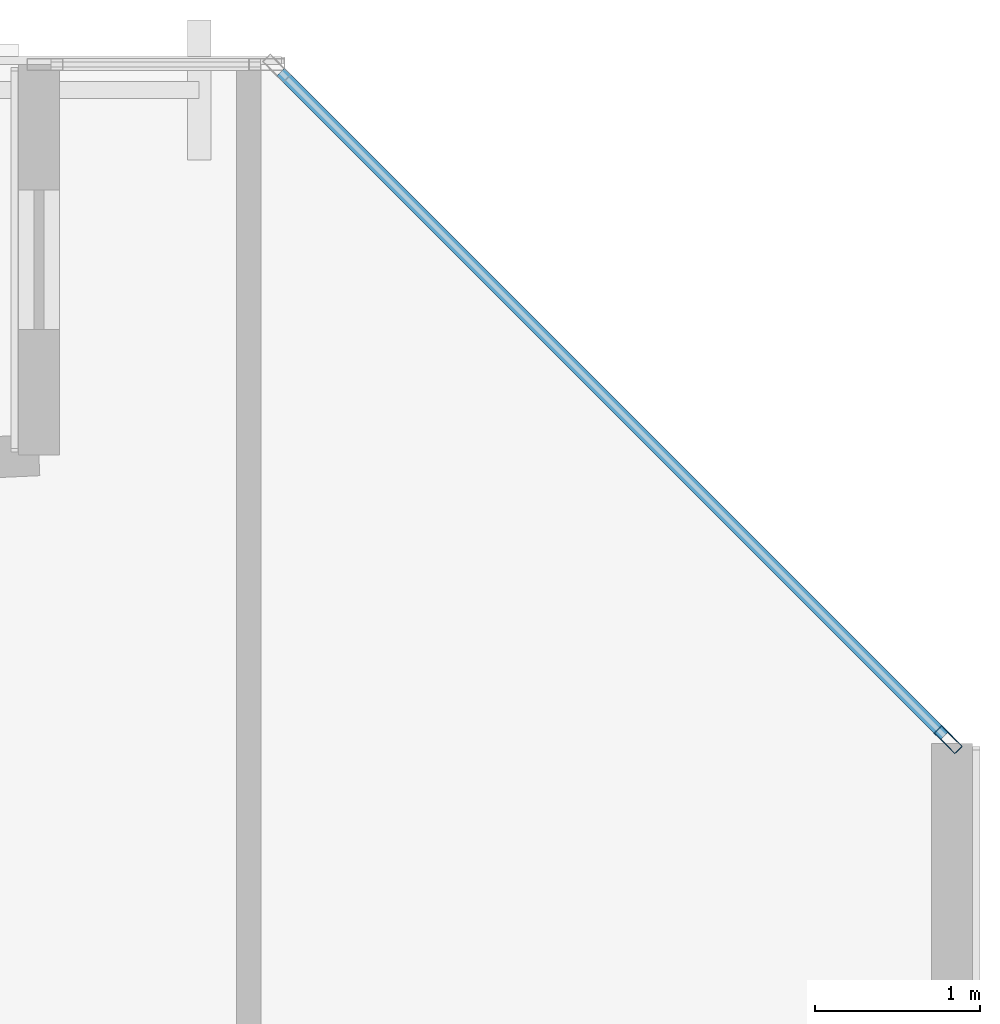
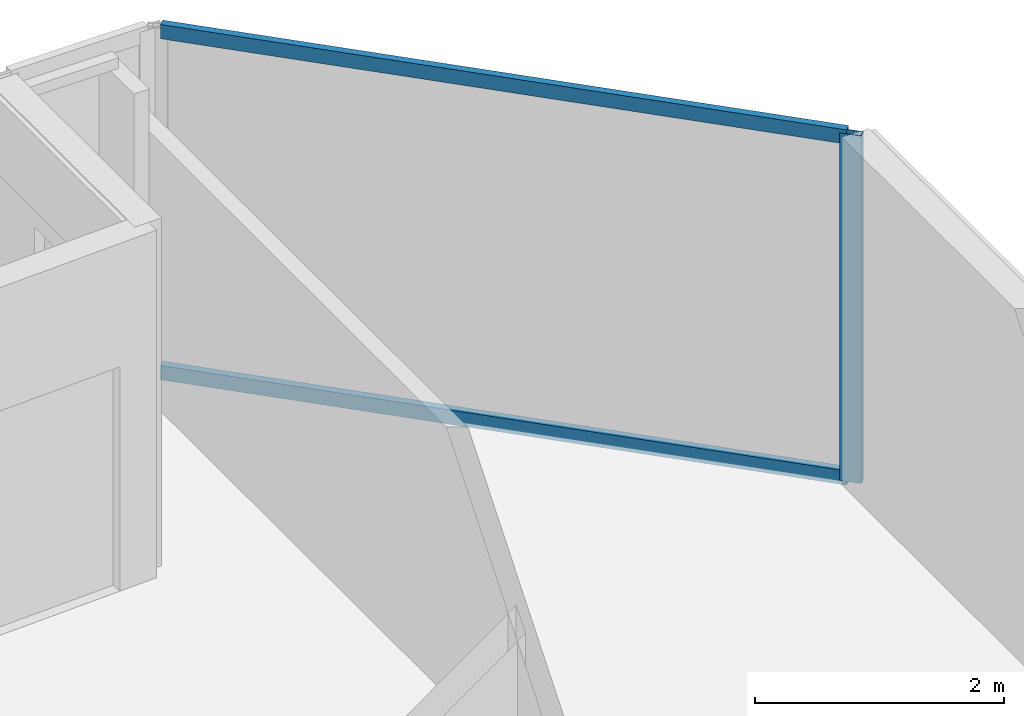
# One storey, part 24 of 39: 3 members, 1 element without a shape of its own.
"""IFC4 building model written with IfcOpenShell, lengths in metres."""

import ifcopenshell
import ifcopenshell.guid

model = None  # the IFC model being written
_history = None  # IfcOwnerHistory: only IFC2X3 demands one
_inside = {}  # id of a spatial element -> (the spatial element, [elements in it])
_under = {}  # id of a project, library or spatial element -> (it, [spatial elements below it])
_declared = {}  # id of a project -> (the project, [libraries it declares])
_typed = {}  # id of a type object -> (the type object, [elements of that type])
_made_of = {}  # id of a material, layer set ... -> (it, [elements and type objects made of it])


def new_model(schema):
    """Start an empty IFC model of exactly this schema.

    Asked for "IFC4X3", IfcOpenShell would pick the latest addendum, in which some entities
    have other attributes; the version numbers below select the first issue.
    IFC2X3 requires an IfcOwnerHistory on every rooted entity: one is made here for all.
    """
    global model, _history
    if schema == "IFC4X3":
        model = ifcopenshell.file(schema_version=(4, 3, 0, 0))
    else:
        model = ifcopenshell.file(schema=schema)
    _inside.clear()
    _under.clear()
    _declared.clear()
    _typed.clear()
    _made_of.clear()
    _history = None
    if model.schema == "IFC2X3":
        org = make("IfcOrganization", Name="unknown")
        user = make(
            "IfcPersonAndOrganization",
            ThePerson=make("IfcPerson", FamilyName="unknown"),
            TheOrganization=org,
        )
        app = make(
            "IfcApplication",
            ApplicationDeveloper=org,
            Version="unknown",
            ApplicationFullName="unknown",
            ApplicationIdentifier="unknown",
        )
        _history = make(
            "IfcOwnerHistory",
            OwningUser=user,
            OwningApplication=app,
            ChangeAction="ADDED",
            CreationDate=0,
        )
    return model


def make(cls, **values):
    """One entity of the class cls with the attributes given. An attribute that is None is left unset."""
    return model.create_entity(
        cls, **{name: value for name, value in values.items() if value is not None}
    )


def rooted(cls, **values):
    """An entity with a GlobalId (a new one), such as an element, a storey or a relation."""
    return make(cls, GlobalId=ifcopenshell.guid.new(), OwnerHistory=_history, **values)


def si_unit(unit_type, name, prefix=None):
    """IfcSIUnit, for example si_unit("LENGTHUNIT", "METRE", prefix="MILLI")."""
    return make("IfcSIUnit", UnitType=unit_type, Prefix=prefix, Name=name)


def assignment(units):
    """IfcUnitAssignment: the units of a project."""
    return None if units is None else make("IfcUnitAssignment", Units=units)


def point(xyz):
    """IfcCartesianPoint."""
    return None if xyz is None else make("IfcCartesianPoint", Coordinates=xyz)


def direction(xyz):
    """IfcDirection."""
    return None if xyz is None else make("IfcDirection", DirectionRatios=xyz)


def frame(location, z_axis=None, x_axis=None):
    """IfcAxis2Placement3D, a coordinate frame: its origin and axes. An axis left out is left unset."""
    return make(
        "IfcAxis2Placement3D",
        Location=point(location),
        Axis=direction(z_axis),
        RefDirection=direction(x_axis),
    )


def frame_2d(location, x_axis=None):
    """IfcAxis2Placement2D, a coordinate frame in the plane: its origin and x axis."""
    return make(
        "IfcAxis2Placement2D", Location=point(location), RefDirection=direction(x_axis)
    )


def origin():
    """The frame at (0, 0, 0) with its axes left unset."""
    return frame((0.0, 0.0, 0.0))


def origin_2d():
    """The frame at (0, 0) in the plane with its x axis left unset."""
    return frame_2d((0.0, 0.0))


def place(relative_to, where):
    """IfcLocalPlacement: puts the frame where relative to a parent placement (None: the world)."""
    return make(
        "IfcLocalPlacement", PlacementRelTo=relative_to, RelativePlacement=where
    )


def context(
    kind, dimensions, precision=None, world=None, true_north=None, identifier=None
):
    """IfcGeometricRepresentationContext, for example the 3D "Model" context."""
    return make(
        "IfcGeometricRepresentationContext",
        ContextIdentifier=identifier,
        ContextType=kind,
        CoordinateSpaceDimension=dimensions,
        Precision=precision,
        WorldCoordinateSystem=world,
        TrueNorth=true_north,
    )


def subcontext(parent, identifier, kind, view, scale=None):
    """IfcGeometricRepresentationSubContext, for example "Body" below "Model"."""
    return make(
        "IfcGeometricRepresentationSubContext",
        ContextIdentifier=identifier,
        ContextType=kind,
        ParentContext=parent,
        TargetScale=scale,
        TargetView=view,
    )


def project(units=None, contexts=None):
    """IfcProject with its units and contexts."""
    return rooted(
        "IfcProject",
        Name="project",
        RepresentationContexts=contexts,
        UnitsInContext=assignment(units),
    )


def spatial(cls, under=None, at=None, **own):
    """A site, building, storey or space (cls), placed at a placement, below another one or the project."""
    s = rooted(cls, ObjectPlacement=at, **own)
    if under is not None:
        _under.setdefault(under.id(), (under, []))[1].append(s)
    return s


def profile(cls, at=None, kind="AREA", **sizes):
    """A parametric profile (cls). Its sizes go by their IFC names, for example OverallWidth=200.0."""
    return make(cls, ProfileType=kind, Position=at, **sizes)


def hollow_rectangle(**sizes):
    """IfcRectangleHollowProfileDef."""
    return profile("IfcRectangleHollowProfileDef", **sizes)


def extrude(swept, where, along, depth):
    """IfcExtrudedAreaSolid: the profile swept, set in the frame where, extruded along a direction by depth."""
    return make(
        "IfcExtrudedAreaSolid",
        SweptArea=swept,
        Position=where,
        ExtrudedDirection=direction(along),
        Depth=depth,
    )


def shape(context_of_items, identifier, shape_type, items):
    """IfcShapeRepresentation: the items that make up one representation, for example the "Body"."""
    return make(
        "IfcShapeRepresentation",
        ContextOfItems=context_of_items,
        RepresentationIdentifier=identifier,
        RepresentationType=shape_type,
        Items=items,
    )


def material(Name=None, Category=None):
    """IfcMaterial."""
    return make("IfcMaterial", Name=Name, Category=Category)


def layer(
    of_material, thickness, ventilated=None, Name=None, Category=None, Priority=None
):
    """IfcMaterialLayer: one layer of a wall or slab, of a material (None: an air gap)."""
    return make(
        "IfcMaterialLayer",
        Material=of_material,
        LayerThickness=thickness,
        IsVentilated=ventilated,
        Name=Name,
        Category=Category,
        Priority=Priority,
    )


def layer_set(layers, Name=None):
    """IfcMaterialLayerSet."""
    return make("IfcMaterialLayerSet", MaterialLayers=layers, LayerSetName=Name)


def material_profile(
    of_material, cross_section, Name=None, Category=None, Priority=None
):
    """IfcMaterialProfile: a cross section and its material."""
    return make(
        "IfcMaterialProfile",
        Name=Name,
        Material=of_material,
        Profile=cross_section,
        Priority=Priority,
        Category=Category,
    )


def profile_set(profiles, Name=None, composite=None):
    """IfcMaterialProfileSet."""
    return make(
        "IfcMaterialProfileSet",
        Name=Name,
        MaterialProfiles=profiles,
        CompositeProfile=composite,
    )


def made_of(thing, what):
    """Note that an element or type object is made of a material, layer set ...; save() writes the relation."""
    if what is not None:
        _made_of.setdefault(what.id(), (what, []))[1].append(thing)
    return thing


def type_object(cls, material=None, **own):
    """A type object (cls), such as IfcWallType, which elements share."""
    return made_of(rooted(cls, **own), material)


def element(
    cls,
    number,
    at=None,
    inside=None,
    cuts=None,
    type_object=None,
    material=None,
    context=None,
    identifier="Body",
    shape_type=None,
    held_by="IfcProductDefinitionShape",
    body=None,
    shapes=None,
    **own,
):
    """One element of the class cls, such as IfcWall. Its Tag is "e" and its number.

    at: its placement. inside: the storey or other place that contains it. cuts: it is an
    opening in that element (IfcRelVoidsElement). A single representation is given by context,
    identifier, shape_type and body (its items); several are given by shapes. held_by: the class
    of the entity that holds the representations. save() writes the other relations.
    """
    e = rooted(cls, Tag="e%d" % number, ObjectPlacement=at, **own)
    if body is not None:
        shapes = [shape(context, identifier, shape_type, body)]
    if shapes is not None:
        e.Representation = make(held_by, Representations=shapes)
    if inside is not None:
        _inside.setdefault(inside.id(), (inside, []))[1].append(e)
    if cuts is not None:
        rooted(
            "IfcRelVoidsElement", RelatingBuildingElement=cuts, RelatedOpeningElement=e
        )
    if type_object is not None:
        _typed.setdefault(type_object.id(), (type_object, []))[1].append(e)
    return made_of(e, material)


def aggregate(whole, parts):
    """IfcRelAggregates: a whole, such as a stair, and the parts it consists of."""
    return rooted("IfcRelAggregates", RelatingObject=whole, RelatedObjects=parts)


def save(model, path):
    """Write the relations noted so far, then the file.

    IfcRelAggregates (storeys below a building ...), IfcRelContainedInSpatialStructure (elements
    in a storey), IfcRelDefinesByType, IfcRelAssociatesMaterial and IfcRelDeclares: one each for
    every whole, place, type object, material and project.
    """
    for whole, parts in _under.values():
        aggregate(whole, parts)
    for where, things in _inside.values():
        rooted(
            "IfcRelContainedInSpatialStructure",
            RelatedElements=things,
            RelatingStructure=where,
        )
    for kind, things in _typed.values():
        rooted("IfcRelDefinesByType", RelatedObjects=things, RelatingType=kind)
    for what, things in _made_of.values():
        rooted("IfcRelAssociatesMaterial", RelatedObjects=things, RelatingMaterial=what)
    for by, libraries in _declared.values():
        rooted("IfcRelDeclares", RelatingContext=by, RelatedDefinitions=libraries)
    model.write(path)


model = new_model("IFC4")

# Units and contexts
model_context = context("Model", 3, precision=1e-05, world=origin(), true_north=direction((0.0, 1.0)))
body_context = subcontext(model_context, "Body", "Model", "MODEL_VIEW")
ifc_project = project(units=[si_unit("LENGTHUNIT", "METRE"), si_unit("AREAUNIT", "SQUARE_METRE"), si_unit("VOLUMEUNIT", "CUBIC_METRE"), si_unit("PLANEANGLEUNIT", "RADIAN"), si_unit("MASSUNIT", "GRAM", prefix="KILO")], contexts=[model_context])

# Site, building, storey
site_placement = place(None, origin())
site = spatial("IfcSite", under=ifc_project, at=site_placement, CompositionType="ELEMENT")
building_placement = place(site_placement, origin())
building = spatial("IfcBuilding", under=site, at=building_placement, Name="Tanjung Sevakor Pilgrim Tower", CompositionType="ELEMENT")
storey_placement = place(building_placement, frame((0.0, 0.0, 108.570068359375)))
storey = spatial("IfcBuildingStorey", under=building, at=storey_placement, Name="L30", CompositionType="ELEMENT", Elevation=108.570068359375)

# Curtain wall, members
ifc_material_1 = material(Name="Aluminium 6063-T6 and Low-E Glass", Category="aluminium")
ifc_layer = layer(ifc_material_1, 0.179931640625)
ifc_layer_set = layer_set([ifc_layer], Name="CW-SYS-CHAM")
curtain_wall_type = type_object("IfcCurtainWallType", Name="CW-SYS-CHAM", PredefinedType="NOTDEFINED", material=ifc_layer_set)
curtain_wall_placement = place(storey_placement, origin())
curtain_wall = element("IfcCurtainWall", 1, at=curtain_wall_placement, inside=storey, type_object=curtain_wall_type, Name="L30 Curtain Wall CW-CHM-L30-MAIN-17", PredefinedType="NOTDEFINED")
ifc_material_2 = material(Name="Aluminium 6063-T6", Category="aluminium")
ifc_material_profile_1 = material_profile(ifc_material_2, hollow_rectangle(XDim=0.06494140625, YDim=0.179931640625, WallThickness=0.00390625, at=origin_2d()))
ifc_profile_set_1 = profile_set([ifc_material_profile_1], Name="Aluminium 6063-T6")
member_type_1 = type_object("IfcMemberType", Name="TYPE-CWM-1", PredefinedType="MULLION", material=ifc_profile_set_1)
member_1_placement = place(storey_placement, frame((100.251953125, 53.37109375, 0.0), z_axis=(0.0, 0.0, 1.0), x_axis=(-0.707106781187, -0.707106781187, 0.0)))
member_1 = element("IfcMember", 2, at=member_1_placement, type_object=member_type_1, Name="CW-CHM mullion 1", PredefinedType="MULLION", context=body_context, shape_type="SweptSolid", body=[
    extrude(hollow_rectangle(XDim=0.06494140625, YDim=0.179931640625, WallThickness=0.00390625, at=origin_2d()), origin(), (0.0, 0.0, 1.0), 3.409912109375),
])
ifc_material_3 = material(Name="Aluminium 6063-T6", Category="aluminium")
ifc_material_profile_2 = material_profile(ifc_material_3, hollow_rectangle(XDim=0.06494140625, YDim=0.139892578125, WallThickness=0.00390625, at=origin_2d()))
ifc_profile_set_2 = profile_set([ifc_material_profile_2], Name="Aluminium 6063-T6")
member_type_2 = type_object("IfcMemberType", Name="TYPE-CWT-1", PredefinedType="USERDEFINED", material=ifc_profile_set_2)
member_2_placement = place(storey_placement, frame((100.22900390625, 53.39404296875, 0.032470703125), z_axis=(-0.707106781187, 0.707106781187, 0.0), x_axis=(-0.707106781187, -0.707106781187, 0.0)))
member_2 = element("IfcMember", 3, at=member_2_placement, type_object=member_type_2, Name="CW-CHM transom 1.1", ObjectType="TRANSOM", PredefinedType="USERDEFINED", context=body_context, shape_type="SweptSolid", body=[
    extrude(hollow_rectangle(XDim=0.06494140625, YDim=0.139892578125, WallThickness=0.00390625, at=origin_2d()), origin(), (0.0, 0.0, 1.0), 5.706298828125),
])
member_3_placement = place(storey_placement, frame((100.22900390625, 53.39404296875, 3.37744140625), z_axis=(-0.707106781187, 0.707106781187, 0.0), x_axis=(-0.707106781187, -0.707106781187, 0.0)))
member_3 = element("IfcMember", 4, at=member_3_placement, type_object=member_type_2, Name="CW-CHM transom 1.2", ObjectType="TRANSOM", PredefinedType="USERDEFINED", context=body_context, shape_type="SweptSolid", body=[
    extrude(hollow_rectangle(XDim=0.06494140625, YDim=0.139892578125, WallThickness=0.00390625, at=origin_2d()), origin(), (0.0, 0.0, 1.0), 5.706298828125),
])
aggregate(curtain_wall, [member_1, member_2, member_3])

save(model, "model.ifc")
